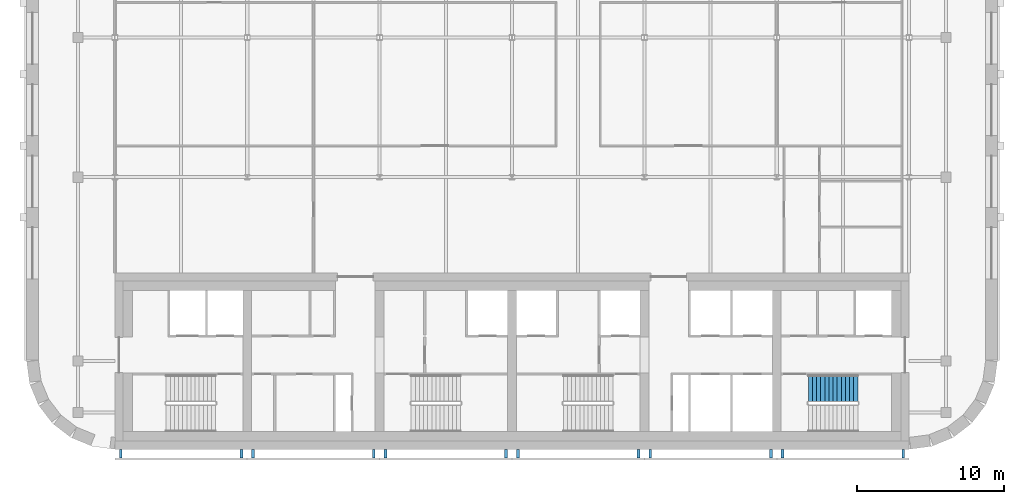
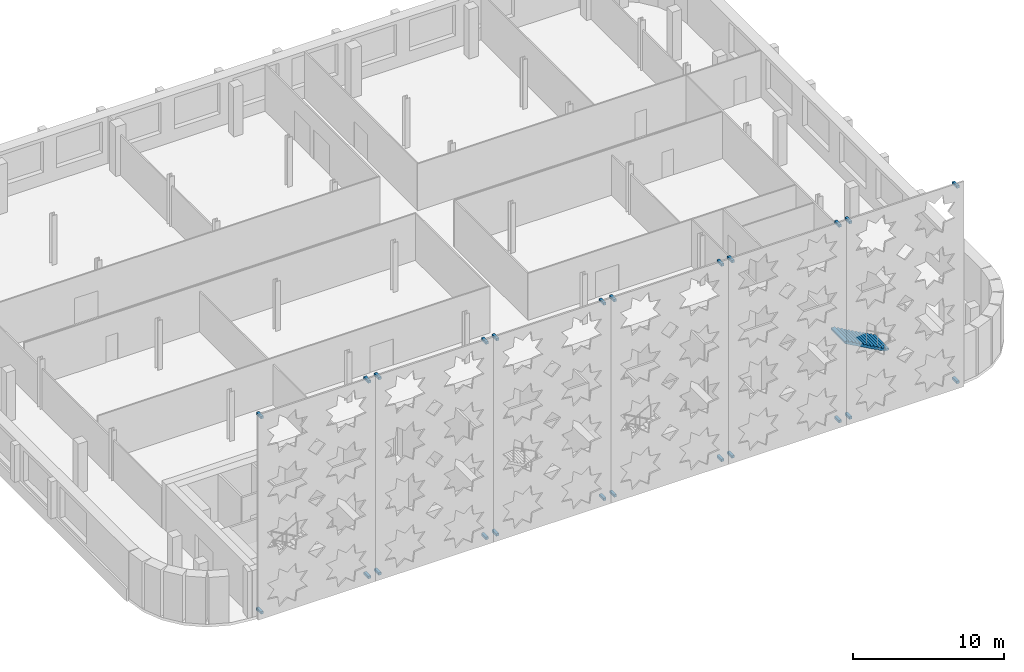
# One storey, part 11 of 14: 24 discrete accessories, 1 stair flight, 1 element without a shape of its own.
"""IFC4 building model written with IfcOpenShell, lengths in metres."""

import ifcopenshell
import ifcopenshell.guid

model = None  # the IFC model being written
_history = None  # IfcOwnerHistory: only IFC2X3 demands one
_inside = {}  # id of a spatial element -> (the spatial element, [elements in it])
_under = {}  # id of a project, library or spatial element -> (it, [spatial elements below it])
_declared = {}  # id of a project -> (the project, [libraries it declares])
_typed = {}  # id of a type object -> (the type object, [elements of that type])
_made_of = {}  # id of a material, layer set ... -> (it, [elements and type objects made of it])


def new_model(schema):
    """Start an empty IFC model of exactly this schema.

    Asked for "IFC4X3", IfcOpenShell would pick the latest addendum, in which some entities
    have other attributes; the version numbers below select the first issue.
    IFC2X3 requires an IfcOwnerHistory on every rooted entity: one is made here for all.
    """
    global model, _history
    if schema == "IFC4X3":
        model = ifcopenshell.file(schema_version=(4, 3, 0, 0))
    else:
        model = ifcopenshell.file(schema=schema)
    _inside.clear()
    _under.clear()
    _declared.clear()
    _typed.clear()
    _made_of.clear()
    _history = None
    if model.schema == "IFC2X3":
        org = make("IfcOrganization", Name="unknown")
        user = make(
            "IfcPersonAndOrganization",
            ThePerson=make("IfcPerson", FamilyName="unknown"),
            TheOrganization=org,
        )
        app = make(
            "IfcApplication",
            ApplicationDeveloper=org,
            Version="unknown",
            ApplicationFullName="unknown",
            ApplicationIdentifier="unknown",
        )
        _history = make(
            "IfcOwnerHistory",
            OwningUser=user,
            OwningApplication=app,
            ChangeAction="ADDED",
            CreationDate=0,
        )
    return model


def make(cls, **values):
    """One entity of the class cls with the attributes given. An attribute that is None is left unset."""
    return model.create_entity(
        cls, **{name: value for name, value in values.items() if value is not None}
    )


def rooted(cls, **values):
    """An entity with a GlobalId (a new one), such as an element, a storey or a relation."""
    return make(cls, GlobalId=ifcopenshell.guid.new(), OwnerHistory=_history, **values)


def si_unit(unit_type, name, prefix=None):
    """IfcSIUnit, for example si_unit("LENGTHUNIT", "METRE", prefix="MILLI")."""
    return make("IfcSIUnit", UnitType=unit_type, Prefix=prefix, Name=name)


def assignment(units):
    """IfcUnitAssignment: the units of a project."""
    return None if units is None else make("IfcUnitAssignment", Units=units)


def point(xyz):
    """IfcCartesianPoint."""
    return None if xyz is None else make("IfcCartesianPoint", Coordinates=xyz)


def direction(xyz):
    """IfcDirection."""
    return None if xyz is None else make("IfcDirection", DirectionRatios=xyz)


def frame(location, z_axis=None, x_axis=None):
    """IfcAxis2Placement3D, a coordinate frame: its origin and axes. An axis left out is left unset."""
    return make(
        "IfcAxis2Placement3D",
        Location=point(location),
        Axis=direction(z_axis),
        RefDirection=direction(x_axis),
    )


def frame_2d(location, x_axis=None):
    """IfcAxis2Placement2D, a coordinate frame in the plane: its origin and x axis."""
    return make(
        "IfcAxis2Placement2D", Location=point(location), RefDirection=direction(x_axis)
    )


def origin():
    """The frame at (0, 0, 0) with its axes left unset."""
    return frame((0.0, 0.0, 0.0))


def origin_2d():
    """The frame at (0, 0) in the plane with its x axis left unset."""
    return frame_2d((0.0, 0.0))


def place(relative_to, where):
    """IfcLocalPlacement: puts the frame where relative to a parent placement (None: the world)."""
    return make(
        "IfcLocalPlacement", PlacementRelTo=relative_to, RelativePlacement=where
    )


def context(
    kind, dimensions, precision=None, world=None, true_north=None, identifier=None
):
    """IfcGeometricRepresentationContext, for example the 3D "Model" context."""
    return make(
        "IfcGeometricRepresentationContext",
        ContextIdentifier=identifier,
        ContextType=kind,
        CoordinateSpaceDimension=dimensions,
        Precision=precision,
        WorldCoordinateSystem=world,
        TrueNorth=true_north,
    )


def subcontext(parent, identifier, kind, view, scale=None):
    """IfcGeometricRepresentationSubContext, for example "Body" below "Model"."""
    return make(
        "IfcGeometricRepresentationSubContext",
        ContextIdentifier=identifier,
        ContextType=kind,
        ParentContext=parent,
        TargetScale=scale,
        TargetView=view,
    )


def project(units=None, contexts=None):
    """IfcProject with its units and contexts."""
    return rooted(
        "IfcProject",
        Name="project",
        RepresentationContexts=contexts,
        UnitsInContext=assignment(units),
    )


def spatial(cls, under=None, at=None, **own):
    """A site, building, storey or space (cls), placed at a placement, below another one or the project."""
    s = rooted(cls, ObjectPlacement=at, **own)
    if under is not None:
        _under.setdefault(under.id(), (under, []))[1].append(s)
    return s


def polyline(points):
    """IfcPolyline through the points."""
    return make("IfcPolyline", Points=[point(p) for p in points])


def profile(cls, at=None, kind="AREA", **sizes):
    """A parametric profile (cls). Its sizes go by their IFC names, for example OverallWidth=200.0."""
    return make(cls, ProfileType=kind, Position=at, **sizes)


def rectangle(**sizes):
    """IfcRectangleProfileDef."""
    return profile("IfcRectangleProfileDef", **sizes)


def outline(outer, holes=None, kind="AREA"):
    """IfcArbitraryClosedProfileDef: a profile drawn as a closed curve; with holes, ...WithVoids."""
    if holes is None:
        return make("IfcArbitraryClosedProfileDef", ProfileType=kind, OuterCurve=outer)
    return make(
        "IfcArbitraryProfileDefWithVoids",
        ProfileType=kind,
        OuterCurve=outer,
        InnerCurves=holes,
    )


def extrude(swept, where, along, depth):
    """IfcExtrudedAreaSolid: the profile swept, set in the frame where, extruded along a direction by depth."""
    return make(
        "IfcExtrudedAreaSolid",
        SweptArea=swept,
        Position=where,
        ExtrudedDirection=direction(along),
        Depth=depth,
    )


def shape(context_of_items, identifier, shape_type, items):
    """IfcShapeRepresentation: the items that make up one representation, for example the "Body"."""
    return make(
        "IfcShapeRepresentation",
        ContextOfItems=context_of_items,
        RepresentationIdentifier=identifier,
        RepresentationType=shape_type,
        Items=items,
    )


def material(Name=None, Category=None):
    """IfcMaterial."""
    return make("IfcMaterial", Name=Name, Category=Category)


def made_of(thing, what):
    """Note that an element or type object is made of a material, layer set ...; save() writes the relation."""
    if what is not None:
        _made_of.setdefault(what.id(), (what, []))[1].append(thing)
    return thing


def type_object(cls, material=None, **own):
    """A type object (cls), such as IfcWallType, which elements share."""
    return made_of(rooted(cls, **own), material)


def element(
    cls,
    number,
    at=None,
    inside=None,
    cuts=None,
    type_object=None,
    material=None,
    context=None,
    identifier="Body",
    shape_type=None,
    held_by="IfcProductDefinitionShape",
    body=None,
    shapes=None,
    **own,
):
    """One element of the class cls, such as IfcWall. Its Tag is "e" and its number.

    at: its placement. inside: the storey or other place that contains it. cuts: it is an
    opening in that element (IfcRelVoidsElement). A single representation is given by context,
    identifier, shape_type and body (its items); several are given by shapes. held_by: the class
    of the entity that holds the representations. save() writes the other relations.
    """
    e = rooted(cls, Tag="e%d" % number, ObjectPlacement=at, **own)
    if body is not None:
        shapes = [shape(context, identifier, shape_type, body)]
    if shapes is not None:
        e.Representation = make(held_by, Representations=shapes)
    if inside is not None:
        _inside.setdefault(inside.id(), (inside, []))[1].append(e)
    if cuts is not None:
        rooted(
            "IfcRelVoidsElement", RelatingBuildingElement=cuts, RelatedOpeningElement=e
        )
    if type_object is not None:
        _typed.setdefault(type_object.id(), (type_object, []))[1].append(e)
    return made_of(e, material)


def aggregate(whole, parts):
    """IfcRelAggregates: a whole, such as a stair, and the parts it consists of."""
    return rooted("IfcRelAggregates", RelatingObject=whole, RelatedObjects=parts)


def save(model, path):
    """Write the relations noted so far, then the file.

    IfcRelAggregates (storeys below a building ...), IfcRelContainedInSpatialStructure (elements
    in a storey), IfcRelDefinesByType, IfcRelAssociatesMaterial and IfcRelDeclares: one each for
    every whole, place, type object, material and project.
    """
    for whole, parts in _under.values():
        aggregate(whole, parts)
    for where, things in _inside.values():
        rooted(
            "IfcRelContainedInSpatialStructure",
            RelatedElements=things,
            RelatingStructure=where,
        )
    for kind, things in _typed.values():
        rooted("IfcRelDefinesByType", RelatedObjects=things, RelatingType=kind)
    for what, things in _made_of.values():
        rooted("IfcRelAssociatesMaterial", RelatedObjects=things, RelatingMaterial=what)
    for by, libraries in _declared.values():
        rooted("IfcRelDeclares", RelatingContext=by, RelatedDefinitions=libraries)
    model.write(path)


model = new_model("IFC4")

# Units and contexts
model_context = context("Model", 3, precision=1e-05, world=origin(), true_north=direction((0.0, 1.0)))
body_context = subcontext(model_context, "Body", "Model", "MODEL_VIEW")
ifc_project = project(units=[si_unit("LENGTHUNIT", "METRE"), si_unit("AREAUNIT", "SQUARE_METRE"), si_unit("VOLUMEUNIT", "CUBIC_METRE"), si_unit("PLANEANGLEUNIT", "RADIAN"), si_unit("MASSUNIT", "GRAM", prefix="KILO")], contexts=[model_context])

# Site, building, storey
site_placement = place(None, origin())
site = spatial("IfcSite", under=ifc_project, at=site_placement, CompositionType="ELEMENT")
building_placement = place(site_placement, origin())
building = spatial("IfcBuilding", under=site, at=building_placement, Name="Zellij Exchange Tower", CompositionType="ELEMENT")
storey_placement = place(building_placement, frame((0.0, 0.0, 288.5)))
storey = spatial("IfcBuildingStorey", under=building, at=storey_placement, Name="L68", CompositionType="ELEMENT", Elevation=288.5)

# Stair, stair flight
ifc_material_1 = material(Name="Concrete C40/50", Category="concrete")
stair_type = type_object("IfcStairType", Name="CORE-ST exit stair 1850 wide", PredefinedType="HALF_TURN_STAIR", material=ifc_material_1)
stair_placement = place(storey_placement, origin())
stair = element("IfcStair", 1, at=stair_placement, inside=storey, type_object=stair_type, Name="L68 exit stair ST4", PredefinedType="HALF_TURN_STAIR")
stair_flight_type = type_object("IfcStairFlightType", Name="CORE-SF flight 1850 riser 153.8 going 280", PredefinedType="STRAIGHT", material=ifc_material_1)
stair_flight_placement = place(storey_placement, frame((23.510009765625, -9.875, 2.0), z_axis=(0.0, 0.0, 1.0), x_axis=(-1.0, 0.0, 0.0)))
stair_flight = element("IfcStairFlight", 2, at=stair_flight_placement, type_object=stair_flight_type, Name="ST4 flight 2", NumberOfRisers=13, NumberOfTreads=12, PredefinedType="STRAIGHT", RiserHeight=0.153846154, TreadLength=0.28, context=body_context, shape_type="SweptSolid", body=[
    extrude(outline(polyline([(0.0, 0.0), (0.0, 0.15380859375), (0.280029296875, 0.15380859375), (0.280029296875, 0.3076171875), (0.56005859375, 0.3076171875), (0.56005859375, 0.46142578125), (0.840087890625, 0.46142578125), (0.840087890625, 0.615478515625), (1.1201171875, 0.615478515625), (1.1201171875, 0.769287109375), (1.39990234375, 0.769287109375), (1.39990234375, 0.923095703125), (1.679931640625, 0.923095703125), (1.679931640625, 1.076904296875), (1.9599609375, 1.076904296875), (1.9599609375, 1.230712890625), (2.239990234375, 1.230712890625), (2.239990234375, 1.384521484375), (2.52001953125, 1.384521484375), (2.52001953125, 1.53857421875), (2.800048828125, 1.53857421875), (2.800048828125, 1.6923828125), (3.080078125, 1.6923828125), (3.080078125, 1.84619140625), (3.360107421875, 1.84619140625), (3.360107421875, 2.0), (3.360107421875, 1.675048828125), (0.311279296875, 0.0), (0.0, 0.0)])), frame((0.0, 0.925048828125, 0.0), z_axis=(0.0, -1.0, 0.0), x_axis=(1.0, 0.0, 0.0)), (0.0, 0.0, 1.0), 1.85009765625),
])
aggregate(stair, [stair_flight])

# Discrete accessories
ifc_material_2 = material(Name="Stainless steel", Category="steel")
discrete_accessory_type = type_object("IfcDiscreteAccessoryType", Name="ENV-BR1 Stone panel bracket 200", PredefinedType="USERDEFINED", material=ifc_material_2)
for number, where, z_axis, x_axis, name in (
    (3, (-26.60009765625, -14.300048828125, 0.5), (0.0, 0.0, 1.0), (1.0, 0.0, 0.0), "Panel bracket"),
    (4, (-26.60009765625, -14.300048828125, 16.2998046875), (0.0, 0.0, 1.0), (1.0, 0.0, 0.0), "Panel bracket"),
    (5, (-18.39990234375, -14.300048828125, 0.5), (0.0, 0.0, 1.0), (1.0, 0.0, 0.0), "Panel bracket"),
    (6, (-18.39990234375, -14.300048828125, 16.2998046875), (0.0, 0.0, 1.0), (1.0, 0.0, 0.0), "Panel bracket"),
    (7, (-17.60009765625, -14.300048828125, 0.5), (0.0, 0.0, 1.0), (1.0, 0.0, 0.0), "Panel bracket"),
    (8, (-17.60009765625, -14.300048828125, 16.2998046875), (0.0, 0.0, 1.0), (1.0, 0.0, 0.0), "Panel bracket"),
    (9, (-9.39990234375, -14.300048828125, 0.5), (0.0, 0.0, 1.0), (1.0, 0.0, 0.0), "Panel bracket"),
    (10, (-9.39990234375, -14.300048828125, 16.2998046875), (0.0, 0.0, 1.0), (1.0, 0.0, 0.0), "Panel bracket"),
    (11, (-8.60009765625, -14.300048828125, 0.5), (0.0, 0.0, 1.0), (1.0, 0.0, 0.0), "Panel bracket"),
    (12, (-8.60009765625, -14.300048828125, 16.2998046875), (0.0, 0.0, 1.0), (1.0, 0.0, 0.0), "Panel bracket"),
    (13, (-0.39990234375, -14.300048828125, 0.5), (0.0, 0.0, 1.0), (1.0, 0.0, 0.0), "Panel bracket"),
    (14, (-0.39990234375, -14.300048828125, 16.2998046875), (0.0, 0.0, 1.0), (1.0, 0.0, 0.0), "Panel bracket"),
    (15, (0.39990234375, -14.300048828125, 0.5), (0.0, 0.0, 1.0), (1.0, 0.0, 0.0), "Panel bracket"),
    (16, (0.39990234375, -14.300048828125, 16.2998046875), (0.0, 0.0, 1.0), (1.0, 0.0, 0.0), "Panel bracket"),
    (17, (8.60009765625, -14.300048828125, 0.5), (0.0, 0.0, 1.0), (1.0, 0.0, 0.0), "Panel bracket"),
    (18, (8.60009765625, -14.300048828125, 16.2998046875), (0.0, 0.0, 1.0), (1.0, 0.0, 0.0), "Panel bracket"),
    (19, (9.39990234375, -14.300048828125, 0.5), (0.0, 0.0, 1.0), (1.0, 0.0, 0.0), "Panel bracket"),
    (20, (9.39990234375, -14.300048828125, 16.2998046875), (0.0, 0.0, 1.0), (1.0, 0.0, 0.0), "Panel bracket"),
    (21, (17.60009765625, -14.300048828125, 0.5), (0.0, 0.0, 1.0), (1.0, 0.0, 0.0), "Panel bracket"),
    (22, (17.60009765625, -14.300048828125, 16.2998046875), (0.0, 0.0, 1.0), (1.0, 0.0, 0.0), "Panel bracket"),
    (23, (18.39990234375, -14.300048828125, 0.5), (0.0, 0.0, 1.0), (1.0, 0.0, 0.0), "Panel bracket"),
    (24, (18.39990234375, -14.300048828125, 16.2998046875), (0.0, 0.0, 1.0), (1.0, 0.0, 0.0), "Panel bracket"),
    (25, (26.60009765625, -14.300048828125, 0.5), (0.0, 0.0, 1.0), (1.0, 0.0, 0.0), "Panel bracket"),
    (26, (26.60009765625, -14.300048828125, 16.2998046875), (0.0, 0.0, 1.0), (1.0, 0.0, 0.0), "Panel bracket"),
):
    element("IfcDiscreteAccessory", number, at=place(storey_placement, frame(where, z_axis=z_axis, x_axis=x_axis)), inside=storey, type_object=discrete_accessory_type, Name=name, ObjectType="BRACKET", PredefinedType="USERDEFINED", context=body_context, shape_type="SweptSolid", body=[
        extrude(rectangle(XDim=0.199951171875, YDim=0.60009765625, at=origin_2d()), origin(), (0.0, 0.0, 1.0), 0.199951171875),
    ])

save(model, "model.ifc")
